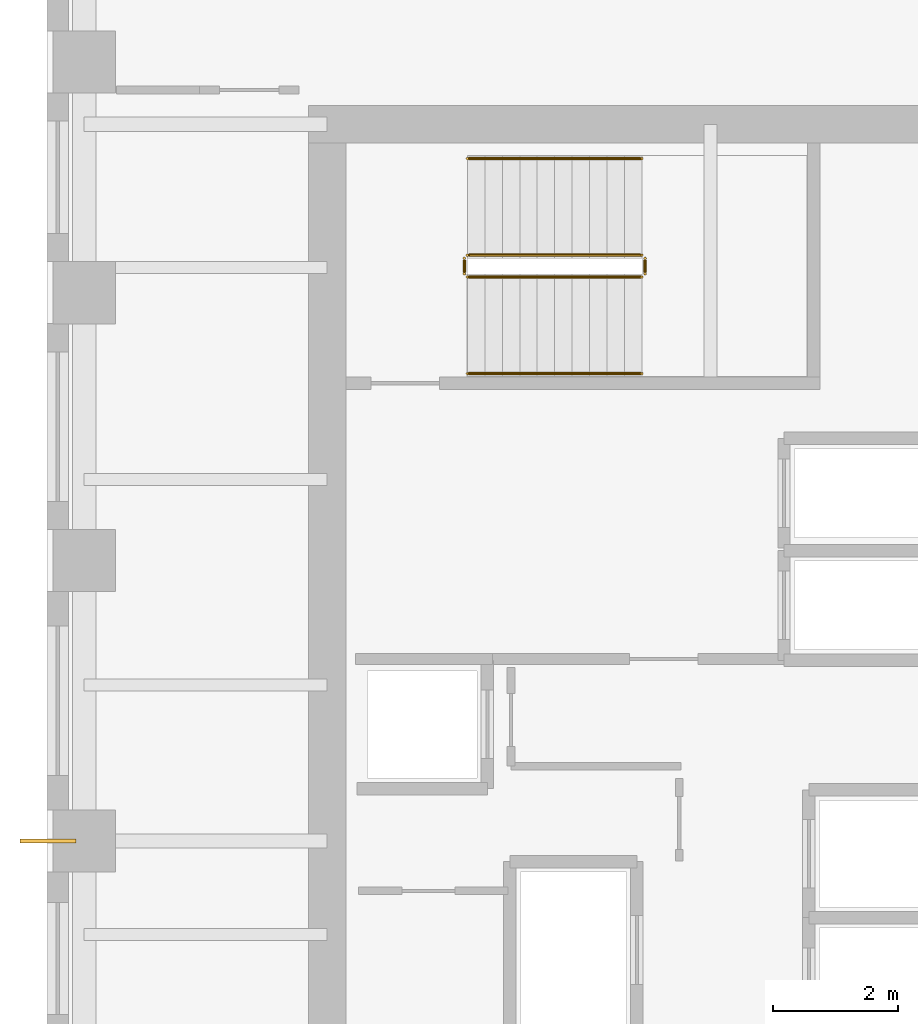
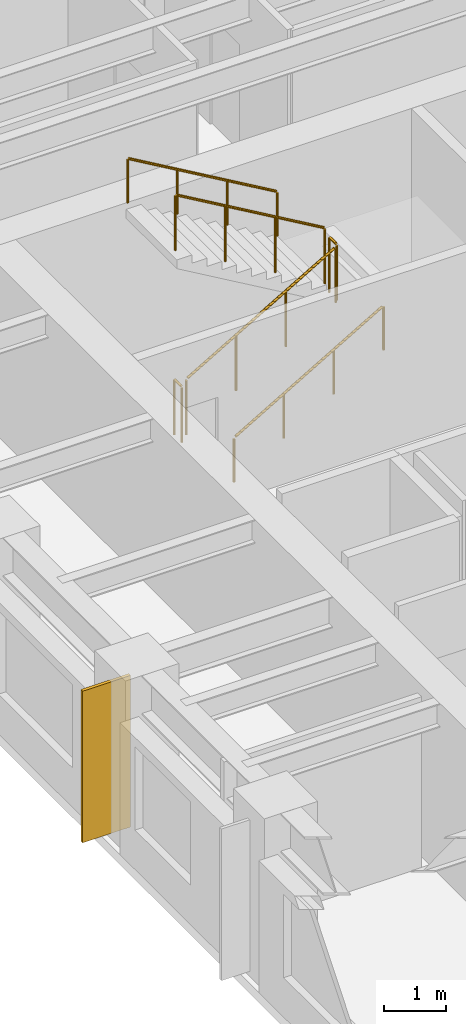
# One storey, part 11 of 12: 6 railings, 1 covering.
"""IFC4 building model written with IfcOpenShell, lengths in metres."""

from ifc_helpers import new_model, si_unit, direction, frame, origin, origin_2d, place, context, subcontext, project, spatial, rectangle, circle, extrude, source, transform, mapped, material, layer, layer_set, type_object, element, save


model = new_model("IFC4")

# Units and contexts
model_context = context("Model", 3, precision=1e-05, world=origin(), true_north=direction((0.0, 1.0)))
body_context = subcontext(model_context, "Body", "Model", "MODEL_VIEW")
ifc_project = project(units=[si_unit("LENGTHUNIT", "METRE"), si_unit("AREAUNIT", "SQUARE_METRE"), si_unit("VOLUMEUNIT", "CUBIC_METRE"), si_unit("PLANEANGLEUNIT", "RADIAN"), si_unit("MASSUNIT", "GRAM", prefix="KILO")], contexts=[model_context])

# Site, building, storey
site_placement = place(None, origin())
site = spatial("IfcSite", under=ifc_project, at=site_placement, CompositionType="ELEMENT")
building_placement = place(site_placement, origin())
building = spatial("IfcBuilding", under=site, at=building_placement, Name="Kharzan Plaza Tower", CompositionType="ELEMENT")
storey_placement = place(building_placement, frame((0.0, 0.0, 164.699951171875)))
storey = spatial("IfcBuildingStorey", under=building, at=storey_placement, Name="L44", CompositionType="ELEMENT", Elevation=164.699951171875)

# Railings
ifc_material_1 = material(Name="Painted Galvanized Architectural Steel", Category="steel")
ifc_layer_1 = layer(ifc_material_1, 0.074951171875)
ifc_layer_set_1 = layer_set([ifc_layer_1], Name="Painted Galvanized Architectural Steel")
railing_type_1 = type_object("IfcRailingType", Name="RL-GUARD-1120", PredefinedType="BALUSTRADE", material=ifc_layer_set_1)
shared_shape_1 = source(origin(), body_context, "Body", "SweptSolid", [
    extrude(circle(Radius=0.02392578125, at=origin_2d()), frame((0.0, 0.0263671875, 1.09619140625), z_axis=(0.0, 1.0, 0.0), x_axis=(-1.0, 0.0, 0.0)), (0.0, 0.0, 1.0), 0.197021484375),
    extrude(circle(Radius=0.02099609375, at=origin_2d()), origin(), (0.0, 0.0, 1.0), 1.072021484375),
    extrude(circle(Radius=0.02099609375, at=origin_2d()), frame((0.0, 0.25, 0.0)), (0.0, 0.0, 1.0), 1.072021484375),
])
for number, where, name in (
    (1, (9.60009765625, 27.10009765625, 1.800048828125), "L44 ST-2 stair guard 2"),
    (2, (6.699951171875, 27.10009765625, 0.0), "L44 ST-2 stair guard 4"),
):
    element("IfcRailing", number, at=place(storey_placement, frame(where)), inside=storey, type_object=railing_type_1, Name=name, PredefinedType="BALUSTRADE", context=body_context, shape_type="MappedRepresentation", body=[
        mapped(shared_shape_1, transform((0.0, 0.0, 0.0), x_axis=(1.0, 0.0, 0.0), y_axis=(0.0, 1.0, 0.0), z_axis=(0.0, 0.0, 1.0))),
    ])

# Covering
ifc_material_2 = material(Name="Honed Riyadh Limestone", Category="masonry")
ifc_layer_2 = layer(ifc_material_2, 0.06005859375)
ifc_layer_set_2 = layer_set([ifc_layer_2], Name="Honed Riyadh Limestone")
covering_type = type_object("IfcCoveringType", Name="COV-CLAD-STONE", PredefinedType="CLADDING", material=ifc_layer_set_2)
shared_shape_2 = source(origin(), body_context, "Body", "SweptSolid", [
    extrude(rectangle(XDim=0.06005859375, YDim=0.89990234375, at=origin_2d()), origin(), (0.0, 0.0, 1.0), 3.0),
])
covering_placement = place(storey_placement, frame((0.02001953125, 18.0, 0.10009765625), z_axis=(0.0, 0.0, 1.0), x_axis=(0.0, 1.0, 0.0)))
element("IfcCovering", 3, at=covering_placement, inside=storey, type_object=covering_type, Name="L44 Limestone Pier Rainscreen Cladding TCW-180", PredefinedType="CLADDING", context=body_context, shape_type="MappedRepresentation", body=[
    mapped(shared_shape_2, transform((0.0, 0.0, 0.0), x_axis=(1.0, 0.0, 0.0), y_axis=(0.0, 1.0, 0.0), z_axis=(0.0, 0.0, 1.0))),
])

# Railings
shared_shape_3 = source(origin(), body_context, "Body", "SweptSolid", [
    extrude(circle(Radius=0.02392578125, at=origin_2d()), frame((0.02294921875, 0.0, 1.109375), z_axis=(0.863360870873, 0.0, 0.504586966384), x_axis=(0.0, 1.0, 0.0)), (0.0, 0.0, 1.0), 3.190185546875),
    extrude(circle(Radius=0.02099609375, at=origin_2d()), origin(), (0.0, 0.0, 1.0), 1.072021484375),
    extrude(circle(Radius=0.02099609375, at=origin_2d()), frame((0.933349609375, 0.0, 0.54541015625)), (0.0, 0.0, 1.0), 1.072021484375),
    extrude(circle(Radius=0.02099609375, at=origin_2d()), frame((1.86669921875, 0.0, 1.091064453125)), (0.0, 0.0, 1.0), 1.072021484375),
    extrude(circle(Radius=0.02099609375, at=origin_2d()), frame((2.800048828125, 0.0, 1.636474609375)), (0.0, 0.0, 1.0), 1.072021484375),
])
railing_1_placement = place(storey_placement, frame((6.75, 27.050048828125, 0.16357421875)))
element("IfcRailing", 4, at=railing_1_placement, inside=storey, type_object=railing_type_1, Name="L44 ST-2 stair guard 1", PredefinedType="BALUSTRADE", context=body_context, shape_type="MappedRepresentation", body=[
    mapped(shared_shape_3, transform((0.0, 0.0, 0.0), x_axis=(1.0, 0.0, 0.0), y_axis=(0.0, 1.0, 0.0), z_axis=(0.0, 0.0, 1.0))),
])
shared_shape_4 = source(origin(), body_context, "Body", "SweptSolid", [
    extrude(circle(Radius=0.02392578125, at=origin_2d()), frame((-0.02294921875, 0.0, 1.109375), z_axis=(-0.863360870873, 0.0, 0.504586966384), x_axis=(0.0, -1.0, 0.0)), (0.0, 0.0, 1.0), 3.190185546875),
    extrude(circle(Radius=0.02099609375, at=origin_2d()), origin(), (0.0, 0.0, 1.0), 1.072021484375),
    extrude(circle(Radius=0.02099609375, at=origin_2d()), frame((-0.933349609375, 0.0, 0.54541015625)), (0.0, 0.0, 1.0), 1.072021484375),
    extrude(circle(Radius=0.02099609375, at=origin_2d()), frame((-1.86669921875, 0.0, 1.091064453125)), (0.0, 0.0, 1.0), 1.072021484375),
    extrude(circle(Radius=0.02099609375, at=origin_2d()), frame((-2.800048828125, 0.0, 1.636474609375)), (0.0, 0.0, 1.0), 1.072021484375),
])
railing_2_placement = place(storey_placement, frame((9.550048828125, 27.39990234375, 1.963623046875)))
element("IfcRailing", 5, at=railing_2_placement, inside=storey, type_object=railing_type_1, Name="L44 ST-2 stair guard 3", PredefinedType="BALUSTRADE", context=body_context, shape_type="MappedRepresentation", body=[
    mapped(shared_shape_4, transform((0.0, 0.0, 0.0), x_axis=(1.0, 0.0, 0.0), y_axis=(0.0, 1.0, 0.0), z_axis=(0.0, 0.0, 1.0))),
])
ifc_material_3 = material(Name="Brushed Stainless Steel", Category="steel")
ifc_layer_3 = layer(ifc_material_3, 0.050048828125)
ifc_layer_set_3 = layer_set([ifc_layer_3], Name="Brushed Stainless Steel")
railing_type_2 = type_object("IfcRailingType", Name="RL-STAIR-HR920", PredefinedType="HANDRAIL", material=ifc_layer_set_3)
shared_shape_5 = source(origin(), body_context, "Body", "SweptSolid", [
    extrude(circle(Radius=0.02392578125, at=origin_2d()), frame((0.02294921875, 0.0, 0.88916015625), z_axis=(0.863360870873, 0.0, 0.504586966384), x_axis=(0.0, 1.0, 0.0)), (0.0, 0.0, 1.0), 3.190185546875),
    extrude(circle(Radius=0.02099609375, at=origin_2d()), origin(), (0.0, 0.0, 1.0), 0.851806640625),
    extrude(circle(Radius=0.02099609375, at=origin_2d()), frame((0.933349609375, 0.0, 0.54541015625)), (0.0, 0.0, 1.0), 0.851806640625),
    extrude(circle(Radius=0.02099609375, at=origin_2d()), frame((1.86669921875, 0.0, 1.091064453125)), (0.0, 0.0, 1.0), 0.851806640625),
    extrude(circle(Radius=0.02099609375, at=origin_2d()), frame((2.800048828125, 0.0, 1.636474609375)), (0.0, 0.0, 1.0), 0.851806640625),
])
railing_3_placement = place(storey_placement, frame((6.75, 25.5, 0.16357421875)))
element("IfcRailing", 6, at=railing_3_placement, inside=storey, type_object=railing_type_2, Name="L44 ST-2 stair handrail 1", PredefinedType="HANDRAIL", context=body_context, shape_type="MappedRepresentation", body=[
    mapped(shared_shape_5, transform((0.0, 0.0, 0.0), x_axis=(1.0, 0.0, 0.0), y_axis=(0.0, 1.0, 0.0), z_axis=(0.0, 0.0, 1.0))),
])
shared_shape_6 = source(origin(), body_context, "Body", "SweptSolid", [
    extrude(circle(Radius=0.02392578125, at=origin_2d()), frame((-0.02294921875, 0.0, 0.88916015625), z_axis=(-0.863360870873, 0.0, 0.504586966384), x_axis=(0.0, -1.0, 0.0)), (0.0, 0.0, 1.0), 3.190185546875),
    extrude(circle(Radius=0.02099609375, at=origin_2d()), origin(), (0.0, 0.0, 1.0), 0.851806640625),
    extrude(circle(Radius=0.02099609375, at=origin_2d()), frame((-0.933349609375, 0.0, 0.54541015625)), (0.0, 0.0, 1.0), 0.851806640625),
    extrude(circle(Radius=0.02099609375, at=origin_2d()), frame((-1.86669921875, 0.0, 1.091064453125)), (0.0, 0.0, 1.0), 0.851806640625),
    extrude(circle(Radius=0.02099609375, at=origin_2d()), frame((-2.800048828125, 0.0, 1.636474609375)), (0.0, 0.0, 1.0), 0.851806640625),
])
railing_4_placement = place(storey_placement, frame((9.550048828125, 28.949951171875, 1.963623046875)))
element("IfcRailing", 7, at=railing_4_placement, inside=storey, type_object=railing_type_2, Name="L44 ST-2 stair handrail 2", PredefinedType="HANDRAIL", context=body_context, shape_type="MappedRepresentation", body=[
    mapped(shared_shape_6, transform((0.0, 0.0, 0.0), x_axis=(1.0, 0.0, 0.0), y_axis=(0.0, 1.0, 0.0), z_axis=(0.0, 0.0, 1.0))),
])

save(model, "model.ifc")
